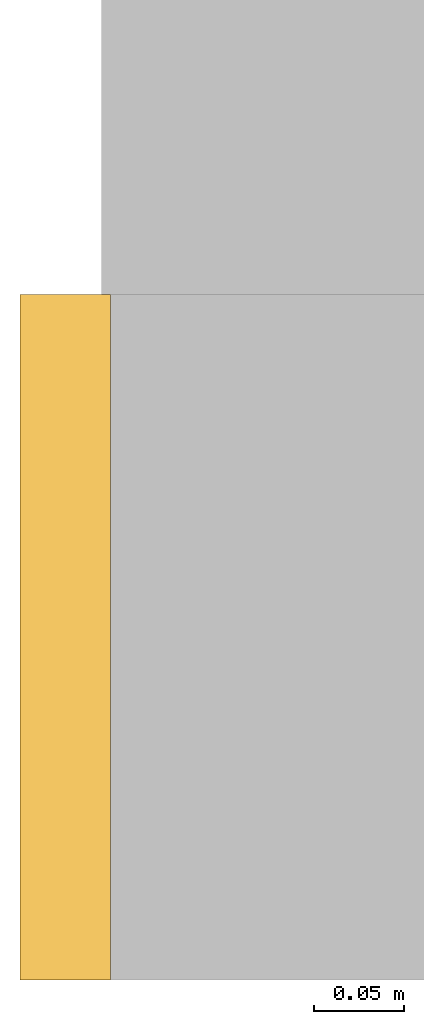
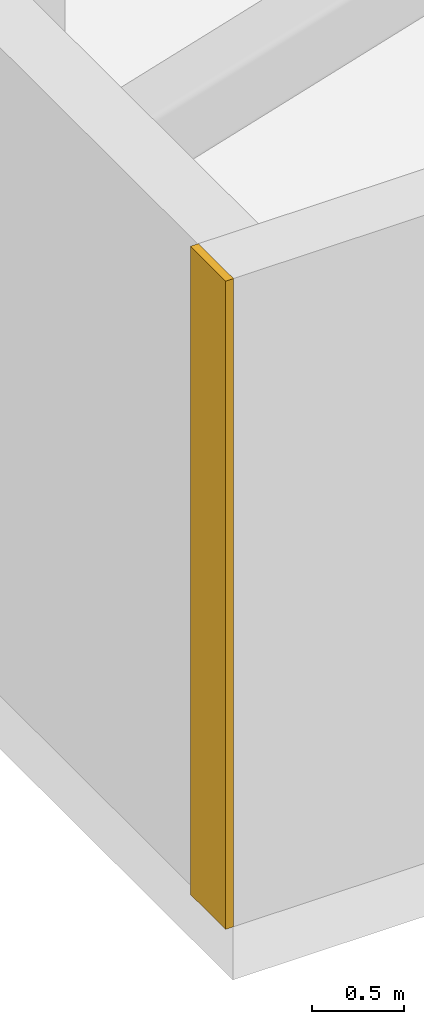
# One storey, part 14 of 19: 1 covering.
"""IFC4 building model written with IfcOpenShell, lengths in metres."""

from ifc_helpers import new_model, si_unit, direction, frame, frame_2d, origin, place, context, subcontext, project, spatial, rectangle, extrude, material, layer, layer_set, type_object, element, save


model = new_model("IFC4")

# Units and contexts
model_context = context("Model", 3, precision=1e-05, world=origin(), true_north=direction((0.0, 1.0)))
body_context = subcontext(model_context, "Body", "Model", "MODEL_VIEW")
ifc_project = project(units=[si_unit("LENGTHUNIT", "METRE"), si_unit("AREAUNIT", "SQUARE_METRE"), si_unit("VOLUMEUNIT", "CUBIC_METRE"), si_unit("PLANEANGLEUNIT", "RADIAN"), si_unit("MASSUNIT", "GRAM", prefix="KILO")], contexts=[model_context])

# Site, building, storey
site_placement = place(None, origin())
site = spatial("IfcSite", under=ifc_project, at=site_placement, CompositionType="ELEMENT")
building_placement = place(site_placement, origin())
building = spatial("IfcBuilding", under=site, at=building_placement, Name="Cairnveth Concourse Tower", CompositionType="ELEMENT")
storey_placement = place(building_placement, frame((0.0, 0.0, 19.0)))
storey = spatial("IfcBuildingStorey", under=building, at=storey_placement, Name="L04", CompositionType="ELEMENT", Elevation=19.0)

# Covering
ifc_material = material(Name="Dressed Melbourne Bluestone Cladding", Category="masonry")
ifc_layer = layer(ifc_material, 0.050048828125)
ifc_layer_set = layer_set([ifc_layer], Name="Dressed Melbourne Bluestone Cladding")
covering_type = type_object("IfcCoveringType", Name="DRESSED BLUESTONE PLINTH CLADDING 50", PredefinedType="CLADDING", material=ifc_layer_set)
covering_placement = place(storey_placement, frame((18.47998046875, 12.3798828125, 0.0), z_axis=(0.0, 0.0, 1.0), x_axis=(0.0, -1.0, 0.0)))
element("IfcCovering", 1, at=covering_placement, inside=storey, type_object=covering_type, Name="Melbourne Bluestone Corner Quoin L04-22", PredefinedType="CLADDING", context=body_context, shape_type="SweptSolid", body=[
    extrude(rectangle(XDim=0.3798828125, YDim=0.050048828125, at=frame_2d((0.18994140625, 0.0))), origin(), (0.0, 0.0, 1.0), 4.280029296875),
])

save(model, "model.ifc")
